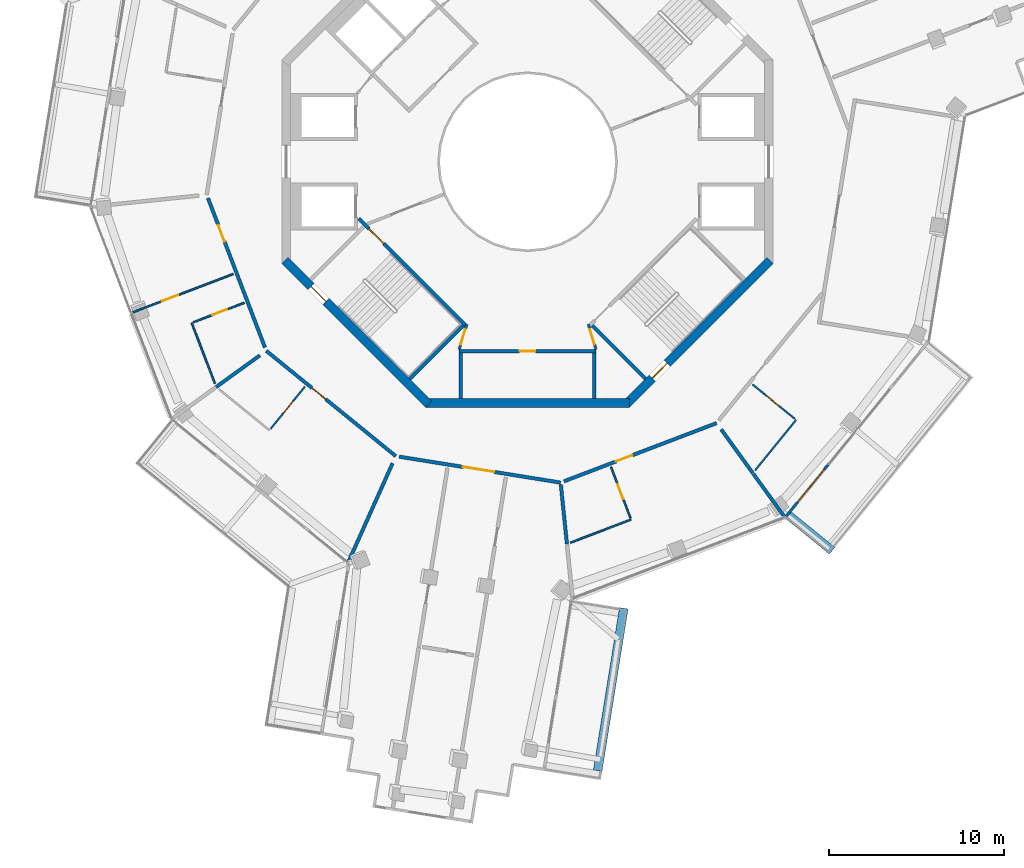
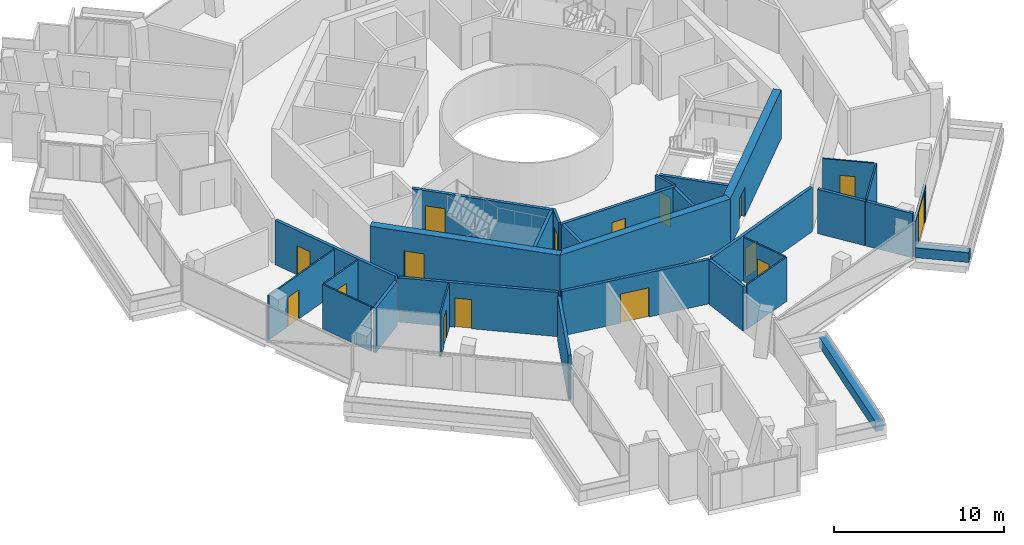
# One storey, part 16 of 23: 31 walls, 16 doors, 16 openings.
"""IFC4 building model written with IfcOpenShell, lengths in metres."""

import ifcopenshell
import ifcopenshell.guid

model = None  # the IFC model being written
_history = None  # IfcOwnerHistory: only IFC2X3 demands one
_inside = {}  # id of a spatial element -> (the spatial element, [elements in it])
_under = {}  # id of a project, library or spatial element -> (it, [spatial elements below it])
_declared = {}  # id of a project -> (the project, [libraries it declares])
_typed = {}  # id of a type object -> (the type object, [elements of that type])
_made_of = {}  # id of a material, layer set ... -> (it, [elements and type objects made of it])


def new_model(schema):
    """Start an empty IFC model of exactly this schema.

    Asked for "IFC4X3", IfcOpenShell would pick the latest addendum, in which some entities
    have other attributes; the version numbers below select the first issue.
    IFC2X3 requires an IfcOwnerHistory on every rooted entity: one is made here for all.
    """
    global model, _history
    if schema == "IFC4X3":
        model = ifcopenshell.file(schema_version=(4, 3, 0, 0))
    else:
        model = ifcopenshell.file(schema=schema)
    _inside.clear()
    _under.clear()
    _declared.clear()
    _typed.clear()
    _made_of.clear()
    _history = None
    if model.schema == "IFC2X3":
        org = make("IfcOrganization", Name="unknown")
        user = make(
            "IfcPersonAndOrganization",
            ThePerson=make("IfcPerson", FamilyName="unknown"),
            TheOrganization=org,
        )
        app = make(
            "IfcApplication",
            ApplicationDeveloper=org,
            Version="unknown",
            ApplicationFullName="unknown",
            ApplicationIdentifier="unknown",
        )
        _history = make(
            "IfcOwnerHistory",
            OwningUser=user,
            OwningApplication=app,
            ChangeAction="ADDED",
            CreationDate=0,
        )
    return model


def make(cls, **values):
    """One entity of the class cls with the attributes given. An attribute that is None is left unset."""
    return model.create_entity(
        cls, **{name: value for name, value in values.items() if value is not None}
    )


def rooted(cls, **values):
    """An entity with a GlobalId (a new one), such as an element, a storey or a relation."""
    return make(cls, GlobalId=ifcopenshell.guid.new(), OwnerHistory=_history, **values)


def si_unit(unit_type, name, prefix=None):
    """IfcSIUnit, for example si_unit("LENGTHUNIT", "METRE", prefix="MILLI")."""
    return make("IfcSIUnit", UnitType=unit_type, Prefix=prefix, Name=name)


def assignment(units):
    """IfcUnitAssignment: the units of a project."""
    return None if units is None else make("IfcUnitAssignment", Units=units)


def point(xyz):
    """IfcCartesianPoint."""
    return None if xyz is None else make("IfcCartesianPoint", Coordinates=xyz)


def direction(xyz):
    """IfcDirection."""
    return None if xyz is None else make("IfcDirection", DirectionRatios=xyz)


def frame(location, z_axis=None, x_axis=None):
    """IfcAxis2Placement3D, a coordinate frame: its origin and axes. An axis left out is left unset."""
    return make(
        "IfcAxis2Placement3D",
        Location=point(location),
        Axis=direction(z_axis),
        RefDirection=direction(x_axis),
    )


def frame_2d(location, x_axis=None):
    """IfcAxis2Placement2D, a coordinate frame in the plane: its origin and x axis."""
    return make(
        "IfcAxis2Placement2D", Location=point(location), RefDirection=direction(x_axis)
    )


def origin():
    """The frame at (0, 0, 0) with its axes left unset."""
    return frame((0.0, 0.0, 0.0))


def place(relative_to, where):
    """IfcLocalPlacement: puts the frame where relative to a parent placement (None: the world)."""
    return make(
        "IfcLocalPlacement", PlacementRelTo=relative_to, RelativePlacement=where
    )


def context(
    kind, dimensions, precision=None, world=None, true_north=None, identifier=None
):
    """IfcGeometricRepresentationContext, for example the 3D "Model" context."""
    return make(
        "IfcGeometricRepresentationContext",
        ContextIdentifier=identifier,
        ContextType=kind,
        CoordinateSpaceDimension=dimensions,
        Precision=precision,
        WorldCoordinateSystem=world,
        TrueNorth=true_north,
    )


def subcontext(parent, identifier, kind, view, scale=None):
    """IfcGeometricRepresentationSubContext, for example "Body" below "Model"."""
    return make(
        "IfcGeometricRepresentationSubContext",
        ContextIdentifier=identifier,
        ContextType=kind,
        ParentContext=parent,
        TargetScale=scale,
        TargetView=view,
    )


def project(units=None, contexts=None):
    """IfcProject with its units and contexts."""
    return rooted(
        "IfcProject",
        Name="project",
        RepresentationContexts=contexts,
        UnitsInContext=assignment(units),
    )


def spatial(cls, under=None, at=None, **own):
    """A site, building, storey or space (cls), placed at a placement, below another one or the project."""
    s = rooted(cls, ObjectPlacement=at, **own)
    if under is not None:
        _under.setdefault(under.id(), (under, []))[1].append(s)
    return s


def profile(cls, at=None, kind="AREA", **sizes):
    """A parametric profile (cls). Its sizes go by their IFC names, for example OverallWidth=200.0."""
    return make(cls, ProfileType=kind, Position=at, **sizes)


def rectangle(**sizes):
    """IfcRectangleProfileDef."""
    return profile("IfcRectangleProfileDef", **sizes)


def extrude(swept, where, along, depth):
    """IfcExtrudedAreaSolid: the profile swept, set in the frame where, extruded along a direction by depth."""
    return make(
        "IfcExtrudedAreaSolid",
        SweptArea=swept,
        Position=where,
        ExtrudedDirection=direction(along),
        Depth=depth,
    )


def shape(context_of_items, identifier, shape_type, items):
    """IfcShapeRepresentation: the items that make up one representation, for example the "Body"."""
    return make(
        "IfcShapeRepresentation",
        ContextOfItems=context_of_items,
        RepresentationIdentifier=identifier,
        RepresentationType=shape_type,
        Items=items,
    )


def material(Name=None, Category=None):
    """IfcMaterial."""
    return make("IfcMaterial", Name=Name, Category=Category)


def layer(
    of_material, thickness, ventilated=None, Name=None, Category=None, Priority=None
):
    """IfcMaterialLayer: one layer of a wall or slab, of a material (None: an air gap)."""
    return make(
        "IfcMaterialLayer",
        Material=of_material,
        LayerThickness=thickness,
        IsVentilated=ventilated,
        Name=Name,
        Category=Category,
        Priority=Priority,
    )


def layer_set(layers, Name=None):
    """IfcMaterialLayerSet."""
    return make("IfcMaterialLayerSet", MaterialLayers=layers, LayerSetName=Name)


def made_of(thing, what):
    """Note that an element or type object is made of a material, layer set ...; save() writes the relation."""
    if what is not None:
        _made_of.setdefault(what.id(), (what, []))[1].append(thing)
    return thing


def type_object(cls, material=None, **own):
    """A type object (cls), such as IfcWallType, which elements share."""
    return made_of(rooted(cls, **own), material)


def element(
    cls,
    number,
    at=None,
    inside=None,
    cuts=None,
    type_object=None,
    material=None,
    context=None,
    identifier="Body",
    shape_type=None,
    held_by="IfcProductDefinitionShape",
    body=None,
    shapes=None,
    **own,
):
    """One element of the class cls, such as IfcWall. Its Tag is "e" and its number.

    at: its placement. inside: the storey or other place that contains it. cuts: it is an
    opening in that element (IfcRelVoidsElement). A single representation is given by context,
    identifier, shape_type and body (its items); several are given by shapes. held_by: the class
    of the entity that holds the representations. save() writes the other relations.
    """
    e = rooted(cls, Tag="e%d" % number, ObjectPlacement=at, **own)
    if body is not None:
        shapes = [shape(context, identifier, shape_type, body)]
    if shapes is not None:
        e.Representation = make(held_by, Representations=shapes)
    if inside is not None:
        _inside.setdefault(inside.id(), (inside, []))[1].append(e)
    if cuts is not None:
        rooted(
            "IfcRelVoidsElement", RelatingBuildingElement=cuts, RelatedOpeningElement=e
        )
    if type_object is not None:
        _typed.setdefault(type_object.id(), (type_object, []))[1].append(e)
    return made_of(e, material)


def fill(opening, filler):
    """IfcRelFillsElement: the door or window that sits in an opening."""
    return rooted(
        "IfcRelFillsElement",
        RelatingOpeningElement=opening,
        RelatedBuildingElement=filler,
    )


def aggregate(whole, parts):
    """IfcRelAggregates: a whole, such as a stair, and the parts it consists of."""
    return rooted("IfcRelAggregates", RelatingObject=whole, RelatedObjects=parts)


def save(model, path):
    """Write the relations noted so far, then the file.

    IfcRelAggregates (storeys below a building ...), IfcRelContainedInSpatialStructure (elements
    in a storey), IfcRelDefinesByType, IfcRelAssociatesMaterial and IfcRelDeclares: one each for
    every whole, place, type object, material and project.
    """
    for whole, parts in _under.values():
        aggregate(whole, parts)
    for where, things in _inside.values():
        rooted(
            "IfcRelContainedInSpatialStructure",
            RelatedElements=things,
            RelatingStructure=where,
        )
    for kind, things in _typed.values():
        rooted("IfcRelDefinesByType", RelatedObjects=things, RelatingType=kind)
    for what, things in _made_of.values():
        rooted("IfcRelAssociatesMaterial", RelatedObjects=things, RelatingMaterial=what)
    for by, libraries in _declared.values():
        rooted("IfcRelDeclares", RelatingContext=by, RelatedDefinitions=libraries)
    model.write(path)


model = new_model("IFC4")

# Units and contexts
model_context = context("Model", 3, precision=1e-05, world=origin(), true_north=direction((0.0, 1.0)))
body_context = subcontext(model_context, "Body", "Model", "MODEL_VIEW")
ifc_project = project(units=[si_unit("LENGTHUNIT", "METRE"), si_unit("AREAUNIT", "SQUARE_METRE"), si_unit("VOLUMEUNIT", "CUBIC_METRE"), si_unit("PLANEANGLEUNIT", "RADIAN"), si_unit("MASSUNIT", "GRAM", prefix="KILO")], contexts=[model_context])

# Site, building, storey
site_placement = place(None, origin())
site = spatial("IfcSite", under=ifc_project, at=site_placement, CompositionType="ELEMENT")
building_placement = place(site_placement, origin())
building = spatial("IfcBuilding", under=site, at=building_placement, Name="Verdalira Terraces Hotel", CompositionType="ELEMENT")
storey_placement = place(building_placement, frame((0.0, 0.0, 241.0)))
storey = spatial("IfcBuildingStorey", under=building, at=storey_placement, Name="L59", CompositionType="ELEMENT", Elevation=241.0)

# Walls
ifc_material_1 = material(Name="Concrete C40", Category="concrete")
ifc_layer_1 = layer(ifc_material_1, 0.5)
ifc_layer_set_1 = layer_set([ifc_layer_1], Name="Balcony planter trough with tree")
wall_type_1 = type_object("IfcWallType", Name="Balcony planter trough with tree", PredefinedType="SOLIDWALL", material=ifc_layer_set_1)
wall_1_placement = place(storey_placement, frame((4.0, -34.703613, 0.0), z_axis=(0.0, 0.0, 1.0), x_axis=(0.15850352, 0.987358412, 0.0)))
element("IfcWall", 1, at=wall_1_placement, inside=storey, type_object=wall_type_1, Name="Balcony planter", PredefinedType="SOLIDWALL", context=body_context, shape_type="SweptSolid", body=[
    extrude(rectangle(XDim=9.372559, YDim=0.5, at=frame_2d((4.686279, 0.0))), origin(), (0.0, 0.0, 1.0), 0.699951),
])
wall_2_placement = place(storey_placement, frame((14.877686, -20.155273, 0.0), z_axis=(0.0, 0.0, 1.0), x_axis=(0.775817424, -0.630957466, 0.0)))
element("IfcWall", 2, at=wall_2_placement, inside=storey, type_object=wall_type_1, Name="Balcony planter", PredefinedType="SOLIDWALL", context=body_context, shape_type="SweptSolid", body=[
    extrude(rectangle(XDim=3.19873, YDim=0.5, at=frame_2d((1.599365, 0.0))), origin(), (0.0, 0.0, 1.0), 0.699951),
])

# Wall, opening, door
ifc_material_2 = material(Name="Moisture-resistant gypsum board partition")
ifc_layer_2 = layer(ifc_material_2, 0.10009765625)
ifc_layer_set_2 = layer_set([ifc_layer_2], Name="Bathroom partition 100 mm")
wall_type_2 = type_object("IfcWallType", Name="Bathroom partition 100 mm", PredefinedType="PARTITIONING", material=ifc_layer_set_2)
wall_3_placement = place(storey_placement, frame((-16.779053, -6.400635, 0.0), z_axis=(0.0, 0.0, 1.0), x_axis=(-0.934330424, -0.356407994, 0.0)))
wall_3 = element("IfcWall", 3, at=wall_3_placement, inside=storey, type_object=wall_type_2, Name="Bathroom partition", PredefinedType="PARTITIONING", context=body_context, shape_type="SweptSolid", body=[
    extrude(rectangle(XDim=6.149902, YDim=0.100098, at=frame_2d((3.074951, 0.0))), origin(), (0.0, 0.0, 1.0), 3.189941),
])
opening_1_placement = place(wall_3_placement, frame((3.350098, 0.0, 0.0)))
opening_1 = element("IfcOpeningElement", 4, at=opening_1_placement, cuts=wall_3, Name="Opening L59-107", PredefinedType="OPENING", context=body_context, shape_type="SweptSolid", body=[
    extrude(rectangle(XDim=1.0, YDim=2.100098, at=frame_2d((0.5, 1.050049))), frame((0.0, 0.060059, 0.0), z_axis=(0.0, -1.0, 0.0), x_axis=(1.0, 0.0, 0.0)), (0.0, 0.0, 1.0), 0.120117),
])
ifc_material_3 = material(Name="Timber door", Category="wood")
door_type_1 = type_object("IfcDoorType", Name="Suite internal door 1000 x 2100", OperationType="NOTDEFINED", PredefinedType="DOOR", material=ifc_material_3)
door_1_placement = place(opening_1_placement, origin())
door_1 = element("IfcDoor", 5, at=door_1_placement, inside=storey, type_object=door_type_1, Name="Suite internal door 5903", OperationType="SINGLE_SWING_LEFT", OverallHeight=2.10009765625, OverallWidth=1.0, PredefinedType="DOOR", context=body_context, shape_type="SweptSolid", body=[
    extrude(rectangle(XDim=1.0, YDim=2.100098, at=frame_2d((0.5, 1.050049))), frame((0.0, 0.024902, 0.0), z_axis=(0.0, -1.0, 0.0), x_axis=(1.0, 0.0, 0.0)), (0.0, 0.0, 1.0), 0.050049),
])
fill(opening_1, door_1)

# Wall
wall_4_placement = place(storey_placement, frame((-19.14209, -9.183838, 0.0), z_axis=(0.0, 0.0, 1.0), x_axis=(0.356376272, -0.934342524, 0.0)))
element("IfcWall", 6, at=wall_4_placement, inside=storey, type_object=wall_type_2, Name="Bathroom partition", PredefinedType="PARTITIONING", context=body_context, shape_type="SweptSolid", body=[
    extrude(rectangle(XDim=3.704102, YDim=0.100098, at=frame_2d((1.852051, 0.0))), origin(), (0.0, 0.0, 1.0), 3.189941),
])

# Wall, opening, door
wall_5_placement = place(storey_placement, frame((-16.152344, -8.043457, 0.0), z_axis=(0.0, 0.0, 1.0), x_axis=(-0.93433668, -0.356391594, 0.0)))
wall_5 = element("IfcWall", 7, at=wall_5_placement, inside=storey, type_object=wall_type_2, Name="Bathroom partition", PredefinedType="PARTITIONING", context=body_context, shape_type="SweptSolid", body=[
    extrude(rectangle(XDim=3.099854, YDim=0.100098, at=frame_2d((1.549805, 0.0))), origin(), (0.0, 0.0, 1.0), 3.189941),
])
opening_2_placement = place(wall_5_placement, frame((1.050049, 0.0, 0.0)))
opening_2 = element("IfcOpeningElement", 8, at=opening_2_placement, cuts=wall_5, Name="Opening L59-108", PredefinedType="OPENING", context=body_context, shape_type="SweptSolid", body=[
    extrude(rectangle(XDim=0.899902, YDim=2.100098, at=frame_2d((0.449951, 1.050049))), frame((0.0, 0.060059, 0.0), z_axis=(0.0, -1.0, 0.0), x_axis=(1.0, 0.0, 0.0)), (0.0, 0.0, 1.0), 0.120117),
])
ifc_material_4 = material(Name="Timber door", Category="wood")
door_type_2 = type_object("IfcDoorType", Name="Bathroom door 900 x 2100", OperationType="NOTDEFINED", PredefinedType="DOOR", material=ifc_material_4)
door_2_placement = place(opening_2_placement, origin())
door_2 = element("IfcDoor", 9, at=door_2_placement, inside=storey, type_object=door_type_2, Name="Bathroom door 5903", OperationType="SINGLE_SWING_RIGHT", OverallHeight=2.10009765625, OverallWidth=0.89990234375, PredefinedType="DOOR", context=body_context, shape_type="SweptSolid", body=[
    extrude(rectangle(XDim=0.899902, YDim=2.100098, at=frame_2d((0.449951, 1.050049))), frame((0.0, 0.024902, 0.0), z_axis=(0.0, -1.0, 0.0), x_axis=(1.0, 0.0, 0.0)), (0.0, 0.0, 1.0), 0.050049),
])
fill(opening_2, door_2)

wall_6_placement = place(storey_placement, frame((-14.650879, -15.228271, 0.0), z_axis=(0.0, 0.0, 1.0), x_axis=(0.630936464, 0.775834504, 0.0)))
wall_6 = element("IfcWall", 10, at=wall_6_placement, inside=storey, type_object=wall_type_2, Name="Bathroom partition", PredefinedType="PARTITIONING", context=body_context, shape_type="SweptSolid", body=[
    extrude(rectangle(XDim=3.100342, YDim=0.100098, at=frame_2d((1.550293, 0.0))), origin(), (0.0, 0.0, 1.0), 3.189941),
])
opening_3_placement = place(wall_6_placement, frame((1.149902, 0.0, 0.0)))
opening_3 = element("IfcOpeningElement", 11, at=opening_3_placement, cuts=wall_6, Name="Opening L59-110", PredefinedType="OPENING", context=body_context, shape_type="SweptSolid", body=[
    extrude(rectangle(XDim=0.899902, YDim=2.100098, at=frame_2d((0.449951, 1.050049))), frame((0.0, 0.060059, 0.0), z_axis=(0.0, -1.0, 0.0), x_axis=(1.0, 0.0, 0.0)), (0.0, 0.0, 1.0), 0.120117),
])
door_3_placement = place(opening_3_placement, origin())
door_3 = element("IfcDoor", 12, at=door_3_placement, inside=storey, type_object=door_type_2, Name="Bathroom door 5904", OperationType="SINGLE_SWING_LEFT", OverallHeight=2.10009765625, OverallWidth=0.89990234375, PredefinedType="DOOR", context=body_context, shape_type="SweptSolid", body=[
    extrude(rectangle(XDim=0.899902, YDim=2.100098, at=frame_2d((0.449951, 1.050049))), frame((0.0, 0.024902, 0.0), z_axis=(0.0, -1.0, 0.0), x_axis=(1.0, 0.0, 0.0)), (0.0, 0.0, 1.0), 0.050049),
])
fill(opening_3, door_3)

# Wall
wall_7_placement = place(storey_placement, frame((5.898193, -20.395508, 0.0), z_axis=(0.0, 0.0, 1.0), x_axis=(-0.934312202, -0.356455759, 0.0)))
element("IfcWall", 13, at=wall_7_placement, inside=storey, type_object=wall_type_2, Name="Bathroom partition", PredefinedType="PARTITIONING", context=body_context, shape_type="SweptSolid", body=[
    extrude(rectangle(XDim=3.704102, YDim=0.100098, at=frame_2d((1.852051, 0.0))), origin(), (0.0, 0.0, 1.0), 3.189941),
])

# Wall, opening, door
wall_8_placement = place(storey_placement, frame((5.862549, -20.302002, 0.0), z_axis=(0.0, 0.0, 1.0), x_axis=(-0.356391594, 0.93433668, 0.0)))
wall_8 = element("IfcWall", 14, at=wall_8_placement, inside=storey, type_object=wall_type_2, Name="Bathroom partition", PredefinedType="PARTITIONING", context=body_context, shape_type="SweptSolid", body=[
    extrude(rectangle(XDim=3.099854, YDim=0.100098, at=frame_2d((1.549805, 0.0))), origin(), (0.0, 0.0, 1.0), 3.189941),
])
opening_4_placement = place(wall_8_placement, frame((1.149902, 0.0, 0.0)))
opening_4 = element("IfcOpeningElement", 15, at=opening_4_placement, cuts=wall_8, Name="Opening L59-116", PredefinedType="OPENING", context=body_context, shape_type="SweptSolid", body=[
    extrude(rectangle(XDim=0.899902, YDim=2.100098, at=frame_2d((0.449951, 1.050049))), frame((0.0, 0.060059, 0.0), z_axis=(0.0, -1.0, 0.0), x_axis=(1.0, 0.0, 0.0)), (0.0, 0.0, 1.0), 0.120117),
])
door_4_placement = place(opening_4_placement, origin())
door_4 = element("IfcDoor", 16, at=door_4_placement, inside=storey, type_object=door_type_2, Name="Bathroom door 5906", OperationType="SINGLE_SWING_LEFT", OverallHeight=2.10009765625, OverallWidth=0.89990234375, PredefinedType="DOOR", context=body_context, shape_type="SweptSolid", body=[
    extrude(rectangle(XDim=0.899902, YDim=2.100098, at=frame_2d((0.449951, 1.050049))), frame((0.0, 0.024902, 0.0), z_axis=(0.0, -1.0, 0.0), x_axis=(1.0, 0.0, 0.0)), (0.0, 0.0, 1.0), 0.050049),
])
fill(opening_4, door_4)

wall_9_placement = place(storey_placement, frame((15.228271, -14.650879, 0.0), z_axis=(0.0, 0.0, 1.0), x_axis=(-0.775834504, 0.630936464, 0.0)))
wall_9 = element("IfcWall", 17, at=wall_9_placement, inside=storey, type_object=wall_type_2, Name="Bathroom partition", PredefinedType="PARTITIONING", context=body_context, shape_type="SweptSolid", body=[
    extrude(rectangle(XDim=3.100342, YDim=0.100098, at=frame_2d((1.550293, 0.0))), origin(), (0.0, 0.0, 1.0), 3.189941),
])
opening_5_placement = place(wall_9_placement, frame((1.149902, 0.0, 0.0)))
opening_5 = element("IfcOpeningElement", 18, at=opening_5_placement, cuts=wall_9, Name="Opening L59-118", PredefinedType="OPENING", context=body_context, shape_type="SweptSolid", body=[
    extrude(rectangle(XDim=0.899902, YDim=2.100098, at=frame_2d((0.449951, 1.050049))), frame((0.0, 0.060059, 0.0), z_axis=(0.0, -1.0, 0.0), x_axis=(1.0, 0.0, 0.0)), (0.0, 0.0, 1.0), 0.120117),
])
door_5_placement = place(opening_5_placement, origin())
door_5 = element("IfcDoor", 19, at=door_5_placement, inside=storey, type_object=door_type_2, Name="Bathroom door 5907", OperationType="SINGLE_SWING_LEFT", OverallHeight=2.10009765625, OverallWidth=0.89990234375, PredefinedType="DOOR", context=body_context, shape_type="SweptSolid", body=[
    extrude(rectangle(XDim=0.899902, YDim=2.100098, at=frame_2d((0.449951, 1.050049))), frame((0.0, 0.024902, 0.0), z_axis=(0.0, -1.0, 0.0), x_axis=(1.0, 0.0, 0.0)), (0.0, 0.0, 1.0), 0.050049),
])
fill(opening_5, door_5)

# Wall
wall_10_placement = place(storey_placement, frame((15.305908, -14.713867, 0.0), z_axis=(0.0, 0.0, 1.0), x_axis=(-0.630952346, -0.775821588, 0.0)))
element("IfcWall", 20, at=wall_10_placement, inside=storey, type_object=wall_type_2, Name="Bathroom partition", PredefinedType="PARTITIONING", context=body_context, shape_type="SweptSolid", body=[
    extrude(rectangle(XDim=3.704102, YDim=0.100098, at=frame_2d((1.852051, 0.0))), origin(), (0.0, 0.0, 1.0), 3.189941),
])

# Wall, opening, door
ifc_material_5 = material(Name="Concrete C50", Category="concrete")
ifc_layer_3 = layer(ifc_material_5, 0.199951171875)
ifc_layer_set_3 = layer_set([ifc_layer_3], Name="Core RC wall 200 C50")
wall_type_3 = type_object("IfcWallType", Name="Core RC wall 200 C50", PredefinedType="SOLIDWALL", material=ifc_layer_set_3)
wall_11_placement = place(storey_placement, frame((-3.899902, -10.800049, 0.0), z_axis=(0.0, 0.0, 1.0), x_axis=(1.0, 0.0, 0.0)))
wall_11 = element("IfcWall", 21, at=wall_11_placement, inside=storey, type_object=wall_type_3, Name="L59 store front wall", PredefinedType="SOLIDWALL", context=body_context, shape_type="SweptSolid", body=[
    extrude(rectangle(XDim=7.799805, YDim=0.199951, at=frame_2d((3.899902, 0.0))), origin(), (0.0, 0.0, 1.0), 3.189941),
])
opening_6_placement = place(wall_11_placement, frame((3.449951, 0.0, 0.0)))
opening_6 = element("IfcOpeningElement", 22, at=opening_6_placement, cuts=wall_11, Name="Opening L59-801", PredefinedType="OPENING", context=body_context, shape_type="SweptSolid", body=[
    extrude(rectangle(XDim=0.899902, YDim=2.100098, at=frame_2d((0.449951, 1.050049))), frame((0.0, 0.109863, 0.0), z_axis=(0.0, -1.0, 0.0), x_axis=(1.0, 0.0, 0.0)), (0.0, 0.0, 1.0), 0.219971),
])
ifc_material_6 = material(Name="Steel fire door", Category="steel")
door_type_3 = type_object("IfcDoorType", Name="Core room door 900 x 2100", OperationType="NOTDEFINED", PredefinedType="DOOR", material=ifc_material_6)
door_6_placement = place(opening_6_placement, origin())
door_6 = element("IfcDoor", 23, at=door_6_placement, inside=storey, type_object=door_type_3, Name="Store door L59 SS", OperationType="SINGLE_SWING_LEFT", OverallHeight=2.10009765625, OverallWidth=0.89990234375, PredefinedType="DOOR", context=body_context, shape_type="SweptSolid", body=[
    extrude(rectangle(XDim=0.899902, YDim=2.100098, at=frame_2d((0.449951, 1.050049))), frame((0.0, 0.024902, 0.0), z_axis=(0.0, -1.0, 0.0), x_axis=(1.0, 0.0, 0.0)), (0.0, 0.0, 1.0), 0.050049),
])
fill(opening_6, door_6)

# Walls
for number, where, z_axis, x_axis, name in (
    (24, (-3.800049, -10.899902, 0.0), (0.0, 0.0, 1.0), (0.0, -1.0, 0.0), "L59 store side wall"),
    (25, (3.800049, -10.899902, 0.0), (0.0, 0.0, 1.0), (0.0, -1.0, 0.0), "L59 store side wall"),
):
    element("IfcWall", number, at=place(storey_placement, frame(where, z_axis=z_axis, x_axis=x_axis)), inside=storey, type_object=wall_type_3, Name=name, PredefinedType="SOLIDWALL", context=body_context, shape_type="SweptSolid", body=[
        extrude(rectangle(XDim=2.600098, YDim=0.199951, at=frame_2d((1.300049, 0.0))), origin(), (0.0, 0.0, 1.0), 3.189941),
    ])

# Wall, opening, door
wall_12_placement = place(storey_placement, frame((-3.5354, -9.33374, 0.0), z_axis=(0.0, 0.0, 1.0), x_axis=(-0.707120946, 0.707092617, 0.0)))
wall_12 = element("IfcWall", 26, at=wall_12_placement, inside=storey, type_object=wall_type_3, Name="L59 stair ST2 front wall", PredefinedType="SOLIDWALL", context=body_context, shape_type="SweptSolid", body=[
    extrude(rectangle(XDim=8.61792, YDim=0.199951, at=frame_2d((4.309082, 0.0))), origin(), (0.0, 0.0, 1.0), 3.189941),
])
opening_7_placement = place(wall_12_placement, frame((6.600098, 0.0, 0.0)))
opening_7 = element("IfcOpeningElement", 27, at=opening_7_placement, cuts=wall_12, Name="Opening L59-811", PredefinedType="OPENING", context=body_context, shape_type="SweptSolid", body=[
    extrude(rectangle(XDim=1.199951, YDim=2.100098, at=frame_2d((0.600098, 1.050049))), frame((0.0, 0.109863, 0.0), z_axis=(0.0, -1.0, 0.0), x_axis=(1.0, 0.0, 0.0)), (0.0, 0.0, 1.0), 0.219971),
])
ifc_material_7 = material(Name="Steel fire door", Category="steel")
door_type_4 = type_object("IfcDoorType", Name="Stair door 1200 x 2100", OperationType="NOTDEFINED", PredefinedType="DOOR", material=ifc_material_7)
door_7_placement = place(opening_7_placement, origin())
door_7 = element("IfcDoor", 28, at=door_7_placement, inside=storey, type_object=door_type_4, Name="Stair door ST2 L59", OperationType="SINGLE_SWING_RIGHT", OverallHeight=2.10009765625, OverallWidth=1.199951171875, PredefinedType="DOOR", context=body_context, shape_type="SweptSolid", body=[
    extrude(rectangle(XDim=1.199951, YDim=2.100098, at=frame_2d((0.600098, 1.050049))), frame((0.0, 0.024902, 0.0), z_axis=(0.0, -1.0, 0.0), x_axis=(1.0, 0.0, 0.0)), (0.0, 0.0, 1.0), 0.050049),
])
fill(opening_7, door_7)

# Walls
for number, where, z_axis, x_axis, name in (
    (29, (-3.677002, -9.33374, 0.0), (0.0, 0.0, 1.0), (-0.707078393, -0.707135168, 0.0), "L59 stair ST2 end wall 2"),
    (30, (3.677002, -9.33374, 0.0), (0.0, 0.0, 1.0), (0.707078393, -0.707135168, 0.0), "L59 stair ST3 end wall 1"),
):
    element("IfcWall", number, at=place(storey_placement, frame(where, z_axis=z_axis, x_axis=x_axis)), inside=storey, type_object=wall_type_3, Name=name, PredefinedType="SOLIDWALL", context=body_context, shape_type="SweptSolid", body=[
        extrude(rectangle(XDim=4.300049, YDim=0.199951, at=frame_2d((2.149902, 0.0))), origin(), (0.0, 0.0, 1.0), 3.189941),
    ])

# Wall, opening, door
ifc_material_8 = material(Name="Gypsum board partition")
ifc_layer_4 = layer(ifc_material_8, 0.14990234375)
ifc_layer_set_4 = layer_set([ifc_layer_4], Name="Core partition 150 mm")
wall_type_4 = type_object("IfcWallType", Name="Core partition 150 mm", PredefinedType="PARTITIONING", material=ifc_layer_set_4)
wall_13_placement = place(storey_placement, frame((-3.464844, -9.263184, 0.0), z_axis=(0.0, 0.0, 1.0), x_axis=(-0.289808785, -0.957084567, 0.0)))
wall_13 = element("IfcWall", 31, at=wall_13_placement, inside=storey, type_object=wall_type_4, Name="Room partition L59", PredefinedType="PARTITIONING", context=body_context, shape_type="SweptSolid", body=[
    extrude(rectangle(XDim=1.501221, YDim=0.149902, at=frame_2d((0.750488, 0.0))), origin(), (0.0, 0.0, 1.0), 3.189941),
])
opening_8_placement = place(wall_13_placement, frame((0.300781, 0.0, 0.0)))
opening_8 = element("IfcOpeningElement", 32, at=opening_8_placement, cuts=wall_13, Name="Opening L59-822", PredefinedType="OPENING", context=body_context, shape_type="SweptSolid", body=[
    extrude(rectangle(XDim=0.899902, YDim=2.100098, at=frame_2d((0.449951, 1.050049))), frame((0.0, 0.084961, 0.0), z_axis=(0.0, -1.0, 0.0), x_axis=(1.0, 0.0, 0.0)), (0.0, 0.0, 1.0), 0.169922),
])
door_8_placement = place(opening_8_placement, origin())
door_8 = element("IfcDoor", 33, at=door_8_placement, inside=storey, type_object=door_type_3, Name="Door L59 room5", OperationType="SINGLE_SWING_LEFT", OverallHeight=2.10009765625, OverallWidth=0.89990234375, PredefinedType="DOOR", context=body_context, shape_type="SweptSolid", body=[
    extrude(rectangle(XDim=0.899902, YDim=2.100098, at=frame_2d((0.449951, 1.050049))), frame((0.0, 0.024902, 0.0), z_axis=(0.0, -1.0, 0.0), x_axis=(1.0, 0.0, 0.0)), (0.0, 0.0, 1.0), 0.050049),
])
fill(opening_8, door_8)

wall_14_placement = place(storey_placement, frame((3.899902, -10.699951, 0.0), z_axis=(0.0, 0.0, 1.0), x_axis=(-0.289808785, 0.957084567, 0.0)))
wall_14 = element("IfcWall", 34, at=wall_14_placement, inside=storey, type_object=wall_type_4, Name="Room partition L59", PredefinedType="PARTITIONING", context=body_context, shape_type="SweptSolid", body=[
    extrude(rectangle(XDim=1.501221, YDim=0.149902, at=frame_2d((0.750488, 0.0))), origin(), (0.0, 0.0, 1.0), 3.189941),
])
opening_9_placement = place(wall_14_placement, frame((0.300781, 0.0, 0.0)))
opening_9 = element("IfcOpeningElement", 35, at=opening_9_placement, cuts=wall_14, Name="Opening L59-823", PredefinedType="OPENING", context=body_context, shape_type="SweptSolid", body=[
    extrude(rectangle(XDim=0.899902, YDim=2.100098, at=frame_2d((0.449951, 1.050049))), frame((0.0, 0.084961, 0.0), z_axis=(0.0, -1.0, 0.0), x_axis=(1.0, 0.0, 0.0)), (0.0, 0.0, 1.0), 0.169922),
])
door_9_placement = place(opening_9_placement, origin())
door_9 = element("IfcDoor", 36, at=door_9_placement, inside=storey, type_object=door_type_3, Name="Door L59 room6", OperationType="SINGLE_SWING_LEFT", OverallHeight=2.10009765625, OverallWidth=0.89990234375, PredefinedType="DOOR", context=body_context, shape_type="SweptSolid", body=[
    extrude(rectangle(XDim=0.899902, YDim=2.100098, at=frame_2d((0.449951, 1.050049))), frame((0.0, 0.024902, 0.0), z_axis=(0.0, -1.0, 0.0), x_axis=(1.0, 0.0, 0.0)), (0.0, 0.0, 1.0), 0.050049),
])
fill(opening_9, door_9)

ifc_material_9 = material(Name="Concrete C50", Category="concrete")
ifc_layer_5 = layer(ifc_material_9, 0.5)
ifc_layer_set_5 = layer_set([ifc_layer_5], Name="Core wall 500 C50")
wall_type_5 = type_object("IfcWallType", Name="Core wall 500 C50", PredefinedType="SHEAR", material=ifc_layer_set_5)
wall_15_placement = place(storey_placement, frame((-13.823242, -5.622314, 0.0), z_axis=(0.0, 0.0, 1.0), x_axis=(0.707106781, -0.707106781, 0.0)))
wall_15 = element("IfcWall", 37, at=wall_15_placement, inside=storey, type_object=wall_type_5, Name="Core wall CW-L59-6", PredefinedType="SHEAR", context=body_context, shape_type="SweptSolid", body=[
    extrude(rectangle(XDim=11.5979, YDim=0.5, at=frame_2d((5.798828, 0.0))), origin(), (0.0, 0.0, 1.0), 3.5),
])
opening_10_placement = place(wall_15_placement, frame((2.099121, 0.0, 0.0)))
opening_10 = element("IfcOpeningElement", 38, at=opening_10_placement, cuts=wall_15, Name="Opening L59-817", PredefinedType="OPENING", context=body_context, shape_type="SweptSolid", body=[
    extrude(rectangle(XDim=1.199951, YDim=2.100098, at=frame_2d((0.600098, 1.050049))), frame((0.0, 0.26001, 0.0), z_axis=(0.0, -1.0, 0.0), x_axis=(1.0, 0.0, 0.0)), (0.0, 0.0, 1.0), 0.52002),
])
door_10_placement = place(opening_10_placement, origin())
door_10 = element("IfcDoor", 39, at=door_10_placement, inside=storey, type_object=door_type_4, Name="Stair exit door ST2 L59", OperationType="SINGLE_SWING_LEFT", OverallHeight=2.10009765625, OverallWidth=1.199951171875, PredefinedType="DOOR", context=body_context, shape_type="SweptSolid", body=[
    extrude(rectangle(XDim=1.199951, YDim=2.100098, at=frame_2d((0.600098, 1.050049))), frame((0.0, 0.024902, 0.0), z_axis=(0.0, -1.0, 0.0), x_axis=(1.0, 0.0, 0.0)), (0.0, 0.0, 1.0), 0.050049),
])
fill(opening_10, door_10)

# Wall
wall_16_placement = place(storey_placement, frame((-5.799072, -13.75, 0.0), z_axis=(0.0, 0.0, 1.0), x_axis=(1.0, 0.0, 0.0)))
element("IfcWall", 40, at=wall_16_placement, inside=storey, type_object=wall_type_5, Name="Core wall CW-L59-7", PredefinedType="SHEAR", context=body_context, shape_type="SweptSolid", body=[
    extrude(rectangle(XDim=11.598145, YDim=0.5, at=frame_2d((5.799072, 0.0))), origin(), (0.0, 0.0, 1.0), 3.5),
])

# Wall, opening, door
wall_17_placement = place(storey_placement, frame((5.622314, -13.823242, 0.0), z_axis=(0.0, 0.0, 1.0), x_axis=(0.707106781, 0.707106781, 0.0)))
wall_17 = element("IfcWall", 41, at=wall_17_placement, inside=storey, type_object=wall_type_5, Name="Core wall CW-L59-8", PredefinedType="SHEAR", context=body_context, shape_type="SweptSolid", body=[
    extrude(rectangle(XDim=11.5979, YDim=0.5, at=frame_2d((5.798828, 0.0))), origin(), (0.0, 0.0, 1.0), 3.5),
])
opening_11_placement = place(wall_17_placement, frame((2.099121, 0.0, 0.0)))
opening_11 = element("IfcOpeningElement", 42, at=opening_11_placement, cuts=wall_17, Name="Opening L59-818", PredefinedType="OPENING", context=body_context, shape_type="SweptSolid", body=[
    extrude(rectangle(XDim=1.199951, YDim=2.100098, at=frame_2d((0.600098, 1.050049))), frame((0.0, 0.26001, 0.0), z_axis=(0.0, -1.0, 0.0), x_axis=(1.0, 0.0, 0.0)), (0.0, 0.0, 1.0), 0.52002),
])
door_11_placement = place(opening_11_placement, origin())
door_11 = element("IfcDoor", 43, at=door_11_placement, inside=storey, type_object=door_type_4, Name="Stair exit door ST3 L59", OperationType="SINGLE_SWING_LEFT", OverallHeight=2.10009765625, OverallWidth=1.199951171875, PredefinedType="DOOR", context=body_context, shape_type="SweptSolid", body=[
    extrude(rectangle(XDim=1.199951, YDim=2.100098, at=frame_2d((0.600098, 1.050049))), frame((0.0, 0.024902, 0.0), z_axis=(0.0, -1.0, 0.0), x_axis=(1.0, 0.0, 0.0)), (0.0, 0.0, 1.0), 0.050049),
])
fill(opening_11, door_11)

# Walls
ifc_material_10 = material(Name="Fire-rated gypsum board wall")
ifc_layer_6 = layer(ifc_material_10, 0.199951171875)
ifc_layer_set_6 = layer_set([ifc_layer_6], Name="Demising wall 200 mm")
wall_type_6 = type_object("IfcWallType", Name="Demising wall 200 mm", PredefinedType="SOLIDWALL", material=ifc_layer_set_6)
wall_18_placement = place(storey_placement, frame((-15.258545, -11.037109, 0.0), z_axis=(0.0, 0.0, 1.0), x_axis=(-0.810234847, -0.58610536, 0.0)))
element("IfcWall", 44, at=wall_18_placement, inside=storey, type_object=wall_type_6, Name="Demising wall", PredefinedType="SOLIDWALL", context=body_context, shape_type="SweptSolid", body=[
    extrude(rectangle(XDim=3.072754, YDim=0.199951, at=frame_2d((1.536377, 0.0))), origin(), (0.0, 0.0, 1.0), 3.189941),
])
wall_19_placement = place(storey_placement, frame((-10.201416, -22.784424, 0.0), z_axis=(0.0, 0.0, 1.0), x_axis=(0.408615729, 0.912706517, 0.0)))
element("IfcWall", 45, at=wall_19_placement, inside=storey, type_object=wall_type_6, Name="Demising wall", PredefinedType="SOLIDWALL", context=body_context, shape_type="SweptSolid", body=[
    extrude(rectangle(XDim=6.13208, YDim=0.199951, at=frame_2d((3.065918, 0.0))), origin(), (0.0, 0.0, 1.0), 3.189941),
])
wall_20_placement = place(storey_placement, frame((1.894043, -18.391113, 0.0), z_axis=(0.0, 0.0, 1.0), x_axis=(0.102416674, -0.994741587, 0.0)))
element("IfcWall", 46, at=wall_20_placement, inside=storey, type_object=wall_type_6, Name="Demising wall", PredefinedType="SOLIDWALL", context=body_context, shape_type="SweptSolid", body=[
    extrude(rectangle(XDim=3.418457, YDim=0.199951, at=frame_2d((1.709229, 0.0))), origin(), (0.0, 0.0, 1.0), 3.189941),
])
wall_21_placement = place(storey_placement, frame((11.037354, -15.258545, 0.0), z_axis=(0.0, 0.0, 1.0), x_axis=(0.586087623, -0.810247677, 0.0)))
element("IfcWall", 47, at=wall_21_placement, inside=storey, type_object=wall_type_6, Name="Demising wall", PredefinedType="SOLIDWALL", context=body_context, shape_type="SweptSolid", body=[
    extrude(rectangle(XDim=3.074707, YDim=0.199951, at=frame_2d((1.537354, 0.0))), origin(), (0.0, 0.0, 1.0), 3.189941),
])
wall_22_placement = place(storey_placement, frame((12.866211, -17.787109, 0.0), z_axis=(0.0, 0.0, 1.0), x_axis=(0.586082417, -0.810251443, 0.0)))
element("IfcWall", 48, at=wall_22_placement, inside=storey, type_object=wall_type_6, Name="Demising wall", PredefinedType="SOLIDWALL", context=body_context, shape_type="SweptSolid", body=[
    extrude(rectangle(XDim=3.01123, YDim=0.199951, at=frame_2d((1.505615, 0.0))), origin(), (0.0, 0.0, 1.0), 3.189941),
])

# Wall, opening, door
ifc_material_11 = material(Name="Fire-rated gypsum board wall")
ifc_layer_7 = layer(ifc_material_11, 0.199951171875)
ifc_layer_set_7 = layer_set([ifc_layer_7], Name="Guest corridor wall 200 mm")
wall_type_7 = type_object("IfcWallType", Name="Guest corridor wall 200 mm", PredefinedType="SOLIDWALL", material=ifc_layer_set_7)
wall_23_placement = place(storey_placement, frame((-14.967529, -10.588379, 0.0), z_axis=(0.0, 0.0, 1.0), x_axis=(-0.35640621, 0.934331105, 0.0)))
wall_23 = element("IfcWall", 49, at=wall_23_placement, inside=storey, type_object=wall_type_7, Name="Guest corridor wall", PredefinedType="SOLIDWALL", context=body_context, shape_type="SweptSolid", body=[
    extrude(rectangle(XDim=9.116699, YDim=0.199951, at=frame_2d((4.55835, 0.0))), origin(), (0.0, 0.0, 1.0), 3.189941),
])
opening_12_placement = place(wall_23_placement, frame((6.458252, 0.0, 0.0)))
opening_12 = element("IfcOpeningElement", 50, at=opening_12_placement, cuts=wall_23, Name="Opening L59-106", PredefinedType="OPENING", context=body_context, shape_type="SweptSolid", body=[
    extrude(rectangle(XDim=1.0, YDim=2.100098, at=frame_2d((0.5, 1.050049))), frame((0.0, 0.109863, 0.0), z_axis=(0.0, -1.0, 0.0), x_axis=(1.0, 0.0, 0.0)), (0.0, 0.0, 1.0), 0.219971),
])
ifc_material_12 = material(Name="Timber fire door", Category="wood")
door_type_5 = type_object("IfcDoorType", Name="Guest entry door 1000 x 2100", OperationType="NOTDEFINED", PredefinedType="DOOR", material=ifc_material_12)
door_12_placement = place(opening_12_placement, origin())
door_12 = element("IfcDoor", 51, at=door_12_placement, inside=storey, type_object=door_type_5, Name="Guest entry door 5903", OperationType="SINGLE_SWING_LEFT", OverallHeight=2.10009765625, OverallWidth=1.0, PredefinedType="DOOR", context=body_context, shape_type="SweptSolid", body=[
    extrude(rectangle(XDim=1.0, YDim=2.100098, at=frame_2d((0.5, 1.050049))), frame((0.0, 0.024902, 0.0), z_axis=(0.0, -1.0, 0.0), x_axis=(1.0, 0.0, 0.0)), (0.0, 0.0, 1.0), 0.050049),
])
fill(opening_12, door_12)

wall_24_placement = place(storey_placement, frame((-7.512939, -16.779541, 0.0), z_axis=(0.0, 0.0, 1.0), x_axis=(-0.775832995, 0.63093832, 0.0)))
wall_24 = element("IfcWall", 52, at=wall_24_placement, inside=storey, type_object=wall_type_7, Name="Guest corridor wall", PredefinedType="SOLIDWALL", context=body_context, shape_type="SweptSolid", body=[
    extrude(rectangle(XDim=9.516602, YDim=0.199951, at=frame_2d((4.758301, 0.0))), origin(), (0.0, 0.0, 1.0), 3.189941),
])
opening_13_placement = place(wall_24_placement, frame((5.149902, 0.0, 0.0)))
opening_13 = element("IfcOpeningElement", 53, at=opening_13_placement, cuts=wall_24, Name="Opening L59-109", PredefinedType="OPENING", context=body_context, shape_type="SweptSolid", body=[
    extrude(rectangle(XDim=1.0, YDim=2.100098, at=frame_2d((0.5, 1.050049))), frame((0.0, 0.109863, 0.0), z_axis=(0.0, -1.0, 0.0), x_axis=(1.0, 0.0, 0.0)), (0.0, 0.0, 1.0), 0.219971),
])
door_13_placement = place(opening_13_placement, origin())
door_13 = element("IfcDoor", 54, at=door_13_placement, inside=storey, type_object=door_type_5, Name="Guest entry door 5904", OperationType="SINGLE_SWING_LEFT", OverallHeight=2.10009765625, OverallWidth=1.0, PredefinedType="DOOR", context=body_context, shape_type="SweptSolid", body=[
    extrude(rectangle(XDim=1.0, YDim=2.100098, at=frame_2d((0.5, 1.050049))), frame((0.0, 0.024902, 0.0), z_axis=(0.0, -1.0, 0.0), x_axis=(1.0, 0.0, 0.0)), (0.0, 0.0, 1.0), 0.050049),
])
fill(opening_13, door_13)

wall_25_placement = place(storey_placement, frame((1.883301, -18.288086, 0.0), z_axis=(0.0, 0.0, 1.0), x_axis=(-0.987356604, 0.158514786, 0.0)))
wall_25 = element("IfcWall", 55, at=wall_25_placement, inside=storey, type_object=wall_type_7, Name="Guest corridor wall", PredefinedType="SOLIDWALL", context=body_context, shape_type="SweptSolid", body=[
    extrude(rectangle(XDim=9.316406, YDim=0.199951, at=frame_2d((4.658203, 0.0))), origin(), (0.0, 0.0, 1.0), 3.189941),
])
opening_14_placement = place(wall_25_placement, frame((3.833496, 0.0, 0.0)))
opening_14 = element("IfcOpeningElement", 56, at=opening_14_placement, cuts=wall_25, Name="Opening L59-111", PredefinedType="OPENING", context=body_context, shape_type="SweptSolid", body=[
    extrude(rectangle(XDim=1.800049, YDim=2.100098, at=frame_2d((0.899902, 1.050049))), frame((0.0, 0.109863, 0.0), z_axis=(0.0, -1.0, 0.0), x_axis=(1.0, 0.0, 0.0)), (0.0, 0.0, 1.0), 0.219971),
])
ifc_material_13 = material(Name="Timber fire door", Category="wood")
door_type_6 = type_object("IfcDoorType", Name="Public room double door 1800 x 2100", OperationType="NOTDEFINED", PredefinedType="DOOR", material=ifc_material_13)
door_14_placement = place(opening_14_placement, origin())
door_14 = element("IfcDoor", 57, at=door_14_placement, inside=storey, type_object=door_type_6, Name="Public room double door 5905", OperationType="DOUBLE_DOOR_SINGLE_SWING", OverallHeight=2.10009765625, OverallWidth=1.800048828125, PredefinedType="DOOR", context=body_context, shape_type="SweptSolid", body=[
    extrude(rectangle(XDim=1.800049, YDim=2.100098, at=frame_2d((0.899902, 1.050049))), frame((0.0, 0.024902, 0.0), z_axis=(0.0, -1.0, 0.0), x_axis=(1.0, 0.0, 0.0)), (0.0, 0.0, 1.0), 0.050049),
])
fill(opening_14, door_14)

wall_26_placement = place(storey_placement, frame((10.775146, -14.89624, 0.0), z_axis=(0.0, 0.0, 1.0), x_axis=(-0.93432948, -0.356410469, 0.0)))
wall_26 = element("IfcWall", 58, at=wall_26_placement, inside=storey, type_object=wall_type_7, Name="Guest corridor wall", PredefinedType="SOLIDWALL", context=body_context, shape_type="SweptSolid", body=[
    extrude(rectangle(XDim=9.31665, YDim=0.199951, at=frame_2d((4.658203, 0.0))), origin(), (0.0, 0.0, 1.0), 3.189941),
])
opening_15_placement = place(wall_26_placement, frame((5.149902, 0.0, 0.0)))
opening_15 = element("IfcOpeningElement", 59, at=opening_15_placement, cuts=wall_26, Name="Opening L59-115", PredefinedType="OPENING", context=body_context, shape_type="SweptSolid", body=[
    extrude(rectangle(XDim=1.0, YDim=2.100098, at=frame_2d((0.5, 1.050049))), frame((0.0, 0.109863, 0.0), z_axis=(0.0, -1.0, 0.0), x_axis=(1.0, 0.0, 0.0)), (0.0, 0.0, 1.0), 0.219971),
])
door_15_placement = place(opening_15_placement, origin())
door_15 = element("IfcDoor", 60, at=door_15_placement, inside=storey, type_object=door_type_5, Name="Guest entry door 5906", OperationType="SINGLE_SWING_LEFT", OverallHeight=2.10009765625, OverallWidth=1.0, PredefinedType="DOOR", context=body_context, shape_type="SweptSolid", body=[
    extrude(rectangle(XDim=1.0, YDim=2.100098, at=frame_2d((0.5, 1.050049))), frame((0.0, 0.024902, 0.0), z_axis=(0.0, -1.0, 0.0), x_axis=(1.0, 0.0, 0.0)), (0.0, 0.0, 1.0), 0.050049),
])
fill(opening_15, door_15)

ifc_material_14 = material(Name="Terracotta cladding", Category="masonry")
ifc_layer_8 = layer(ifc_material_14, 0.14990234375)
ifc_layer_set_8 = layer_set([ifc_layer_8], Name="Terracotta door pier 150")
wall_type_8 = type_object("IfcWallType", Name="Terracotta door pier 150", PredefinedType="SOLIDWALL", material=ifc_layer_set_8)
wall_27_placement = place(storey_placement, frame((14.724121, -20.223633, 0.0), z_axis=(0.0, 0.0, 1.0), x_axis=(0.630963708, 0.775812348, 0.0)))
wall_27 = element("IfcWall", 61, at=wall_27_placement, inside=storey, type_object=wall_type_8, Name="Terracotta door pier", PredefinedType="SOLIDWALL", context=body_context, shape_type="SweptSolid", body=[
    extrude(rectangle(XDim=3.863037, YDim=0.149902, at=frame_2d((1.931641, 0.0))), origin(), (0.0, 0.0, 1.0), 2.524902),
])
opening_16_placement = place(wall_27_placement, frame((1.062988, 0.0, 0.0)))
opening_16 = element("IfcOpeningElement", 62, at=opening_16_placement, cuts=wall_27, Name="Opening L59-B10", PredefinedType="OPENING", context=body_context, shape_type="SweptSolid", body=[
    extrude(rectangle(XDim=2.399902, YDim=2.399902, at=frame_2d((1.199951, 1.199951))), frame((0.0, 0.084961, 0.0), z_axis=(0.0, -1.0, 0.0), x_axis=(1.0, 0.0, 0.0)), (0.0, 0.0, 1.0), 0.169922),
])
ifc_material_15 = material(Name="Clear glass", Category="glass")
door_type_7 = type_object("IfcDoorType", Name="Balcony sliding door 2400x2400", OperationType="NOTDEFINED", PredefinedType="DOOR", material=ifc_material_15)
door_16_placement = place(opening_16_placement, origin())
door_16 = element("IfcDoor", 63, at=door_16_placement, inside=storey, type_object=door_type_7, Name="Balcony sliding door", OperationType="SLIDING_TO_LEFT", OverallHeight=2.39990234375, OverallWidth=2.39990234375, PredefinedType="DOOR", context=body_context, shape_type="SweptSolid", body=[
    extrude(rectangle(XDim=2.399902, YDim=2.399902, at=frame_2d((1.199951, 1.199951))), frame((0.0, 0.024902, 0.0), z_axis=(0.0, -1.0, 0.0), x_axis=(1.0, 0.0, 0.0)), (0.0, 0.0, 1.0), 0.050049),
])
fill(opening_16, door_16)

save(model, "model.ifc")
